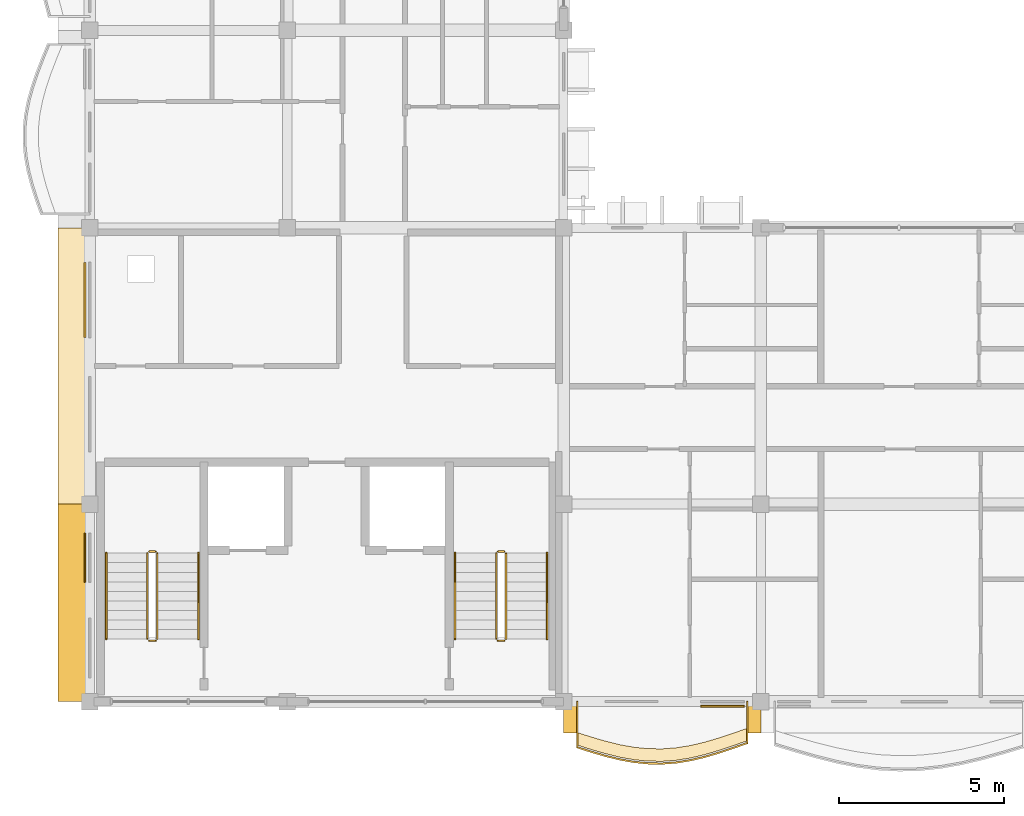
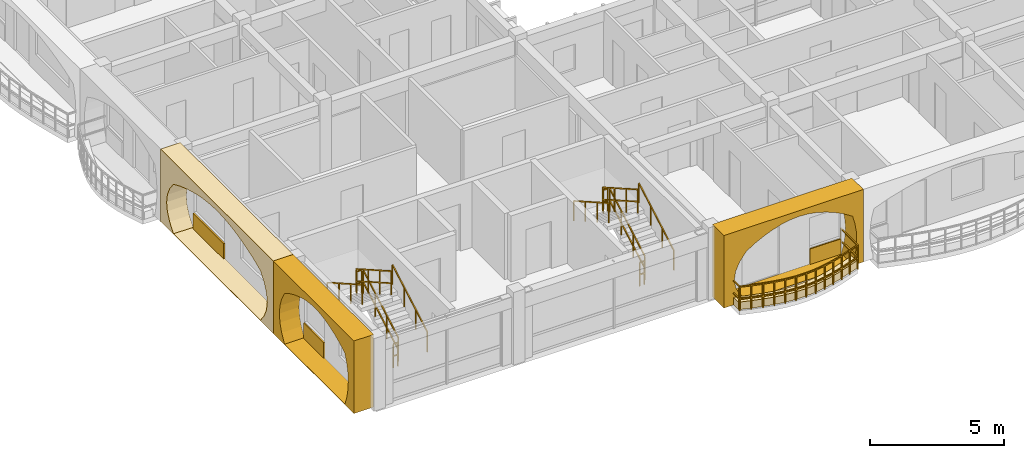
# One storey, part 38 of 54: 13 railings, 7 coverings.
"""IFC4 building model written with IfcOpenShell, lengths in metres."""

from ifc_helpers import new_model, si_unit, direction, frame, origin, origin_2d, place, context, subcontext, project, spatial, polyline, rectangle, outline, extrude, material, layer, layer_set, type_object, element, save


model = new_model("IFC4")

# Units and contexts
model_context = context("Model", 3, precision=1e-05, world=origin(), true_north=direction((0.0, 1.0)))
body_context = subcontext(model_context, "Body", "Model", "MODEL_VIEW")
ifc_project = project(units=[si_unit("LENGTHUNIT", "METRE"), si_unit("AREAUNIT", "SQUARE_METRE"), si_unit("VOLUMEUNIT", "CUBIC_METRE"), si_unit("PLANEANGLEUNIT", "RADIAN"), si_unit("MASSUNIT", "GRAM", prefix="KILO"), si_unit("THERMODYNAMICTEMPERATUREUNIT", "KELVIN")], contexts=[model_context])

# Site, building, storey
site_placement = place(None, origin())
site = spatial("IfcSite", under=ifc_project, at=site_placement, CompositionType="ELEMENT")
building_placement = place(site_placement, origin())
building = spatial("IfcBuilding", under=site, at=building_placement, Name="Thalorik Housing Commons", CompositionType="ELEMENT")
storey_placement = place(building_placement, frame((0.0, 0.0, 31.199951171875)))
storey = spatial("IfcBuildingStorey", under=building, at=storey_placement, Name="L09", CompositionType="ELEMENT", Elevation=31.199951171875)

# Coverings
ifc_material_1 = material(Name="Precast concrete C40/50", Category="concrete")
ifc_layer_1 = layer(ifc_material_1, 0.85009765625, Name="Precast concrete C40/50", Category="concrete")
ifc_layer_set_1 = layer_set([ifc_layer_1], Name="Precast concrete C40/50")
covering_type_1 = type_object("IfcCoveringType", Name="ARC-CLD-CUSH-850", PredefinedType="CLADDING", material=ifc_layer_set_1)
covering_1_placement = place(storey_placement, frame((7.862548828125, 18.60009765625, 0.0), z_axis=(0.0, 0.0, 1.0), x_axis=(0.0, -1.0, 0.0)))
element("IfcCovering", 1, at=covering_1_placement, inside=storey, type_object=covering_type_1, Name="L09 White Precast Curved Cushion Bay Frame 4384", PredefinedType="CLADDING", context=body_context, shape_type="SweptSolid", body=[
    extrude(outline(polyline([(-4.199951171875, 0.0), (4.199951171875, 0.0), (4.199951171875, 3.300048828125), (-4.199951171875, 3.300048828125), (-4.199951171875, 0.0)]), holes=[polyline([(3.239990234375, 0.02490234375), (3.523193359375, 0.40087890625), (3.693359375, 0.776611328125), (3.75, 1.152587890625), (3.693359375, 1.5283203125), (3.523193359375, 1.904296875), (3.239990234375, 2.280029296875), (2.699951171875, 2.51123046875), (2.159912109375, 2.693115234375), (1.6201171875, 2.840087890625), (1.080078125, 2.94970703125), (0.5400390625, 3.01708984375), (0.0, 3.0400390625), (-0.5400390625, 3.01708984375), (-1.080078125, 2.94970703125), (-1.6201171875, 2.840087890625), (-2.159912109375, 2.693115234375), (-2.699951171875, 2.51123046875), (-3.239990234375, 2.280029296875), (-3.523193359375, 1.904296875), (-3.693359375, 1.5283203125), (-3.75, 1.152587890625), (-3.693359375, 0.776611328125), (-3.523193359375, 0.40087890625), (-3.239990234375, 0.02490234375), (3.239990234375, 0.02490234375)])]), frame((0.0, 0.425048828125, 0.0), z_axis=(0.0, -1.0, 0.0), x_axis=(1.0, 0.0, 0.0)), (0.0, 0.0, 1.0), 0.85009765625),
])
covering_2_placement = place(storey_placement, frame((7.862548828125, 11.39990234375, 0.0), z_axis=(0.0, 0.0, 1.0), x_axis=(0.0, -1.0, 0.0)))
element("IfcCovering", 2, at=covering_2_placement, inside=storey, type_object=covering_type_1, Name="L09 White Precast Curved Cushion Bay Frame 4386", PredefinedType="CLADDING", context=body_context, shape_type="SweptSolid", body=[
    extrude(outline(polyline([(-3.0, 0.0), (3.0, 0.0), (3.0, 3.300048828125), (-3.0, 3.300048828125), (-3.0, 0.0)]), holes=[polyline([(2.330078125, 0.02490234375), (2.471435546875, 0.410888671875), (2.556396484375, 0.796630859375), (2.584716796875, 1.1826171875), (2.556396484375, 1.568359375), (2.471435546875, 1.9541015625), (2.330078125, 2.340087890625), (1.955810546875, 2.552978515625), (1.581787109375, 2.720458984375), (1.20751953125, 2.85595703125), (0.833251953125, 2.956787109375), (0.459228515625, 3.01904296875), (0.0849609375, 3.0400390625), (-0.289306640625, 3.01904296875), (-0.663330078125, 2.956787109375), (-1.03759765625, 2.85595703125), (-1.41162109375, 2.720458984375), (-1.785888671875, 2.552978515625), (-2.159912109375, 2.340087890625), (-2.376708984375, 1.9541015625), (-2.506591796875, 1.568359375), (-2.550048828125, 1.1826171875), (-2.506591796875, 0.796630859375), (-2.376708984375, 0.410888671875), (-2.159912109375, 0.02490234375), (2.330078125, 0.02490234375)])]), frame((0.0, 0.425048828125, 0.0), z_axis=(0.0, -1.0, 0.0), x_axis=(1.0, 0.0, 0.0)), (0.0, 0.0, 1.0), 0.85009765625),
])
covering_3_placement = place(storey_placement, frame((25.800048828125, 7.862548828125, 0.0), z_axis=(0.0, 0.0, 1.0), x_axis=(1.0, 0.0, 0.0)))
element("IfcCovering", 3, at=covering_3_placement, inside=storey, type_object=covering_type_1, Name="L09 White Precast Curved Cushion Bay Frame 4388", PredefinedType="CLADDING", context=body_context, shape_type="SweptSolid", body=[
    extrude(outline(polyline([(-3.0, 0.0), (3.0, 0.0), (3.0, 3.300048828125), (-3.0, 3.300048828125), (-3.0, 0.0)]), holes=[polyline([(2.534912109375, 0.02490234375), (2.63330078125, 0.394287109375), (2.692138671875, 0.76318359375), (2.711669921875, 1.132568359375), (2.692138671875, 1.501708984375), (2.63330078125, 1.870849609375), (2.534912109375, 2.239990234375), (2.15380859375, 2.4833984375), (1.7724609375, 2.6748046875), (1.391357421875, 2.82958984375), (1.010009765625, 2.94482421875), (0.628662109375, 3.01611328125), (0.24755859375, 3.0400390625), (-0.1337890625, 3.01611328125), (-0.514892578125, 2.94482421875), (-0.896240234375, 2.82958984375), (-1.277587890625, 2.6748046875), (-1.65869140625, 2.4833984375), (-2.0400390625, 2.239990234375), (-2.3232421875, 1.870849609375), (-2.493408203125, 1.501708984375), (-2.550048828125, 1.132568359375), (-2.493408203125, 0.76318359375), (-2.3232421875, 0.394287109375), (-2.0400390625, 0.02490234375), (2.534912109375, 0.02490234375)])]), frame((0.0, 0.425048828125, 0.0), z_axis=(0.0, -1.0, 0.0), x_axis=(1.0, 0.0, 0.0)), (0.0, 0.0, 1.0), 0.85009765625),
])
ifc_material_2 = material(Name="Terracotta red mineral fibre-cement panel", Category="masonry")
ifc_layer_2 = layer(ifc_material_2, 0.054931640625, Name="Terracotta red mineral fibre-cement panel", Category="masonry")
ifc_layer_set_2 = layer_set([ifc_layer_2], Name="Terracotta red mineral fibre-cement panel")
covering_type_2 = type_object("IfcCoveringType", Name="ARC-CLD-RED-55", PredefinedType="CLADDING", material=ifc_layer_set_2)
covering_4_placement = place(storey_placement, frame((8.2548828125, 12.77001953125, 0.05029296875), z_axis=(0.0, 0.0, 1.0), x_axis=(0.0, -1.0, 0.0)))
element("IfcCovering", 4, at=covering_4_placement, inside=storey, type_object=covering_type_2, Name="L09 De Stijl Recessed Window Spandrel 4387", PredefinedType="CLADDING", context=body_context, shape_type="SweptSolid", body=[
    extrude(rectangle(XDim=1.47998046875, YDim=0.054931640625, at=origin_2d()), origin(), (0.0, 0.0, 1.0), 0.699951171875),
])
covering_5_placement = place(storey_placement, frame((27.625, 8.2548828125, 0.05029296875), z_axis=(0.0, 0.0, 1.0), x_axis=(1.0, 0.0, 0.0)))
element("IfcCovering", 5, at=covering_5_placement, inside=storey, type_object=covering_type_2, Name="L09 De Stijl Recessed Window Spandrel 4389", PredefinedType="CLADDING", context=body_context, shape_type="SweptSolid", body=[
    extrude(rectangle(XDim=1.320068359375, YDim=0.054931640625, at=origin_2d()), origin(), (0.0, 0.0, 1.0), 0.699951171875),
])
ifc_material_3 = material(Name="Mineral ochre architectural terracotta panel", Category="masonry")
ifc_layer_3 = layer(ifc_material_3, 0.06494140625, Name="Mineral ochre architectural terracotta panel", Category="masonry")
ifc_layer_set_3 = layer_set([ifc_layer_3], Name="Mineral ochre architectural terracotta panel")
covering_type_3 = type_object("IfcCoveringType", Name="ARC-CLD-YEL-65", PredefinedType="CLADDING", material=ifc_layer_set_3)
covering_6_placement = place(storey_placement, frame((8.25, 20.60498046875, 0.05029296875), z_axis=(0.0, 0.0, 1.0), x_axis=(0.0, -1.0, 0.0)))
element("IfcCovering", 6, at=covering_6_placement, inside=storey, type_object=covering_type_3, Name="L09 De Stijl Recessed Window Spandrel 4385", PredefinedType="CLADDING", context=body_context, shape_type="SweptSolid", body=[
    extrude(rectangle(XDim=2.280029296875, YDim=0.06494140625, at=origin_2d()), origin(), (0.0, 0.0, 1.0), 0.699951171875),
])
ifc_material_4 = material(Name="Planted vegetated substrate and terracotta trough", Category="masonry")
ifc_layer_4 = layer(ifc_material_4, 0.340087890625, Name="Planted vegetated substrate and terracotta trough", Category="masonry")
ifc_layer_set_4 = layer_set([ifc_layer_4], Name="Planted vegetated substrate and terracotta trough")
covering_type_4 = type_object("IfcCoveringType", Name="ARC-COV-PLANTER", PredefinedType="USERDEFINED", material=ifc_layer_set_4)
covering_7_placement = place(storey_placement, origin())
element("IfcCovering", 7, at=covering_7_placement, inside=storey, type_object=covering_type_4, Name="L09 Balcony Slab-Edge Planted Trough 5636", ObjectType="PLANTER", PredefinedType="USERDEFINED", context=body_context, shape_type="SweptSolid", body=[
    extrude(outline(polyline([(23.219970703125, 7.076416015625), (23.64990234375, 6.93994140625), (24.080078125, 6.814697265625), (24.510009765625, 6.70947265625), (24.93994140625, 6.63232421875), (25.3701171875, 6.589111328125), (25.800048828125, 6.58349609375), (26.22998046875, 6.6162109375), (26.659912109375, 6.685302734375), (27.090087890625, 6.786865234375), (27.52001953125, 6.91357421875), (27.949951171875, 7.056884765625), (28.3798828125, 7.20703125), (28.3798828125, 7.5869140625), (27.949951171875, 7.436767578125), (27.52001953125, 7.29345703125), (27.090087890625, 7.166748046875), (26.659912109375, 7.0654296875), (26.22998046875, 6.99609375), (25.800048828125, 6.96337890625), (25.3701171875, 6.968994140625), (24.93994140625, 7.01220703125), (24.510009765625, 7.08935546875), (24.080078125, 7.194580078125), (23.64990234375, 7.320068359375), (23.219970703125, 7.456298828125), (23.219970703125, 7.076416015625)])), origin(), (0.0, 0.0, 1.0), 0.340087890625),
])

# Railings
ifc_material_5 = material(Name="Steel S355", Category="steel")
railing_type_1 = type_object("IfcRailingType", Name="ARC-RL-BAL-112", PredefinedType="BALUSTRADE", material=ifc_material_5)
railing_1_placement = place(storey_placement, frame((23.219970703125, 8.39990234375, 0.0)))
element("IfcRailing", 8, at=railing_1_placement, inside=storey, type_object=railing_type_1, Name="L09 Cushion Balcony Guardrail 320", PredefinedType="BALUSTRADE", context=body_context, shape_type="SweptSolid", body=[
    extrude(rectangle(XDim=0.050048828125, YDim=0.050048828125, at=origin_2d()), frame((0.0, 0.0, 1.09521484375), z_axis=(0.0, -1.0, 0.0), x_axis=(1.0, 0.0, 0.0)), (0.0, 0.0, 1.0), 1.3935546875),
    extrude(rectangle(XDim=0.050048828125, YDim=0.050048828125, at=origin_2d()), frame((0.0, 0.0, 0.53515625), z_axis=(0.0, -1.0, 0.0), x_axis=(1.0, 0.0, 0.0)), (0.0, 0.0, 1.0), 1.3935546875),
    extrude(rectangle(XDim=0.050048828125, YDim=0.050048828125, at=origin_2d()), frame((0.0, -1.3935546875, 1.09521484375), z_axis=(0.953287680153, -0.302063898652, 0.0), x_axis=(0.302063898652, 0.953287680153, 0.0)), (0.0, 0.0, 1.0), 0.450927734375),
    extrude(rectangle(XDim=0.050048828125, YDim=0.050048828125, at=origin_2d()), frame((0.0, -1.3935546875, 0.53515625), z_axis=(0.953287680153, -0.302063898652, 0.0), x_axis=(0.302063898652, 0.953287680153, 0.0)), (0.0, 0.0, 1.0), 0.450927734375),
    extrude(rectangle(XDim=0.050048828125, YDim=0.050048828125, at=origin_2d()), frame((0.429931640625, -1.52978515625, 1.09521484375), z_axis=(0.95998779493, -0.280041842562, 0.0), x_axis=(0.280041842562, 0.95998779493, 0.0)), (0.0, 0.0, 1.0), 0.447998046875),
    extrude(rectangle(XDim=0.050048828125, YDim=0.050048828125, at=origin_2d()), frame((0.429931640625, -1.52978515625, 0.53515625), z_axis=(0.95998779493, -0.280041842562, 0.0), x_axis=(0.280041842562, 0.95998779493, 0.0)), (0.0, 0.0, 1.0), 0.447998046875),
    extrude(rectangle(XDim=0.050048828125, YDim=0.050048828125, at=origin_2d()), frame((0.860107421875, -1.6552734375, 1.09521484375), z_axis=(0.971331111788, -0.237730669609, 0.0), x_axis=(0.237730669609, 0.971331111788, 0.0)), (0.0, 0.0, 1.0), 0.442626953125),
    extrude(rectangle(XDim=0.050048828125, YDim=0.050048828125, at=origin_2d()), frame((0.860107421875, -1.6552734375, 0.53515625), z_axis=(0.971331111788, -0.237730669609, 0.0), x_axis=(0.237730669609, 0.971331111788, 0.0)), (0.0, 0.0, 1.0), 0.442626953125),
    extrude(rectangle(XDim=0.050048828125, YDim=0.050048828125, at=origin_2d()), frame((1.2900390625, -1.760498046875, 1.09521484375), z_axis=(0.984278682269, -0.176622409765, 0.0), x_axis=(0.176622409765, 0.984278682269, 0.0)), (0.0, 0.0, 1.0), 0.436767578125),
    extrude(rectangle(XDim=0.050048828125, YDim=0.050048828125, at=origin_2d()), frame((1.2900390625, -1.760498046875, 0.53515625), z_axis=(0.984278682269, -0.176622409765, 0.0), x_axis=(0.176622409765, 0.984278682269, 0.0)), (0.0, 0.0, 1.0), 0.436767578125),
    extrude(rectangle(XDim=0.050048828125, YDim=0.050048828125, at=origin_2d()), frame((1.719970703125, -1.837646484375, 1.09521484375), z_axis=(0.994992361373, -0.099950992034, 0.0), x_axis=(0.099950992034, 0.994992361373, 0.0)), (0.0, 0.0, 1.0), 0.432373046875),
    extrude(rectangle(XDim=0.050048828125, YDim=0.050048828125, at=origin_2d()), frame((1.719970703125, -1.837646484375, 0.53515625), z_axis=(0.994992361373, -0.099950992034, 0.0), x_axis=(0.099950992034, 0.994992361373, 0.0)), (0.0, 0.0, 1.0), 0.432373046875),
    extrude(rectangle(XDim=0.050048828125, YDim=0.050048828125, at=origin_2d()), frame((2.150146484375, -1.880859375, 1.09521484375), z_axis=(0.999914719172, -0.013059647099, 0.0), x_axis=(0.013059647099, 0.999914719172, 0.0)), (0.0, 0.0, 1.0), 0.429931640625),
    extrude(rectangle(XDim=0.050048828125, YDim=0.050048828125, at=origin_2d()), frame((2.150146484375, -1.880859375, 0.53515625), z_axis=(0.999914719172, -0.013059647099, 0.0), x_axis=(0.013059647099, 0.999914719172, 0.0)), (0.0, 0.0, 1.0), 0.429931640625),
    extrude(rectangle(XDim=0.050048828125, YDim=0.050048828125, at=origin_2d()), frame((2.580078125, -1.886474609375, 1.09521484375), z_axis=(0.997117429761, 0.075873785115, 0.0), x_axis=(-0.075873785115, 0.997117429761, 0.0)), (0.0, 0.0, 1.0), 0.43115234375),
    extrude(rectangle(XDim=0.050048828125, YDim=0.050048828125, at=origin_2d()), frame((2.580078125, -1.886474609375, 0.53515625), z_axis=(0.997117429761, 0.075873785115, 0.0), x_axis=(-0.075873785115, 0.997117429761, 0.0)), (0.0, 0.0, 1.0), 0.43115234375),
    extrude(rectangle(XDim=0.050048828125, YDim=0.050048828125, at=origin_2d()), frame((3.010009765625, -1.853759765625, 1.09521484375), z_axis=(0.987243963433, 0.159214812956, 0.0), x_axis=(-0.159214812956, 0.987243963433, 0.0)), (0.0, 0.0, 1.0), 0.435546875),
    extrude(rectangle(XDim=0.050048828125, YDim=0.050048828125, at=origin_2d()), frame((3.010009765625, -1.853759765625, 0.53515625), z_axis=(0.987243963433, 0.159214812956, 0.0), x_axis=(-0.159214812956, 0.987243963433, 0.0)), (0.0, 0.0, 1.0), 0.435546875),
    extrude(rectangle(XDim=0.050048828125, YDim=0.050048828125, at=origin_2d()), frame((3.43994140625, -1.784423828125, 1.09521484375), z_axis=(0.97336643038, 0.229254863001, 0.0), x_axis=(-0.229254863001, 0.97336643038, 0.0)), (0.0, 0.0, 1.0), 0.44189453125),
    extrude(rectangle(XDim=0.050048828125, YDim=0.050048828125, at=origin_2d()), frame((3.43994140625, -1.784423828125, 0.53515625), z_axis=(0.97336643038, 0.229254863001, 0.0), x_axis=(-0.229254863001, 0.97336643038, 0.0)), (0.0, 0.0, 1.0), 0.44189453125),
    extrude(rectangle(XDim=0.050048828125, YDim=0.050048828125, at=origin_2d()), frame((3.8701171875, -1.68310546875, 1.09521484375), z_axis=(0.959209231732, 0.28269709896, 0.0), x_axis=(-0.28269709896, 0.959209231732, 0.0)), (0.0, 0.0, 1.0), 0.4482421875),
    extrude(rectangle(XDim=0.050048828125, YDim=0.050048828125, at=origin_2d()), frame((3.8701171875, -1.68310546875, 0.53515625), z_axis=(0.959209231732, 0.28269709896, 0.0), x_axis=(-0.28269709896, 0.959209231732, 0.0)), (0.0, 0.0, 1.0), 0.4482421875),
    extrude(rectangle(XDim=0.050048828125, YDim=0.050048828125, at=origin_2d()), frame((4.300048828125, -1.556396484375, 1.09521484375), z_axis=(0.948683298051, 0.316227766017, 0.0), x_axis=(-0.316227766017, 0.948683298051, 0.0)), (0.0, 0.0, 1.0), 0.453125),
    extrude(rectangle(XDim=0.050048828125, YDim=0.050048828125, at=origin_2d()), frame((4.300048828125, -1.556396484375, 0.53515625), z_axis=(0.948683298051, 0.316227766017, 0.0), x_axis=(-0.316227766017, 0.948683298051, 0.0)), (0.0, 0.0, 1.0), 0.453125),
    extrude(rectangle(XDim=0.050048828125, YDim=0.050048828125, at=origin_2d()), frame((4.72998046875, -1.4130859375, 1.09521484375), z_axis=(0.944083802416, 0.329705586874, 0.0), x_axis=(-0.329705586874, 0.944083802416, 0.0)), (0.0, 0.0, 1.0), 0.455322265625),
    extrude(rectangle(XDim=0.050048828125, YDim=0.050048828125, at=origin_2d()), frame((4.72998046875, -1.4130859375, 0.53515625), z_axis=(0.944083802416, 0.329705586874, 0.0), x_axis=(-0.329705586874, 0.944083802416, 0.0)), (0.0, 0.0, 1.0), 0.455322265625),
    extrude(rectangle(XDim=0.050048828125, YDim=0.050048828125, at=origin_2d()), frame((5.159912109375, -1.262939453125, 1.09521484375), z_axis=(0.0, 1.0, 0.0), x_axis=(-1.0, 0.0, 0.0)), (0.0, 0.0, 1.0), 1.262939453125),
    extrude(rectangle(XDim=0.050048828125, YDim=0.050048828125, at=origin_2d()), frame((5.159912109375, -1.262939453125, 0.53515625), z_axis=(0.0, 1.0, 0.0), x_axis=(-1.0, 0.0, 0.0)), (0.0, 0.0, 1.0), 1.262939453125),
    extrude(rectangle(XDim=0.0419921875, YDim=0.0419921875, at=origin_2d()), origin(), (0.0, 0.0, 1.0), 1.070068359375),
    extrude(rectangle(XDim=0.0419921875, YDim=0.0419921875, at=origin_2d()), frame((0.0, -1.3935546875, 0.0)), (0.0, 0.0, 1.0), 1.070068359375),
    extrude(rectangle(XDim=0.0419921875, YDim=0.0419921875, at=origin_2d()), frame((0.429931640625, -1.52978515625, 0.0)), (0.0, 0.0, 1.0), 1.070068359375),
    extrude(rectangle(XDim=0.0419921875, YDim=0.0419921875, at=origin_2d()), frame((0.860107421875, -1.6552734375, 0.0)), (0.0, 0.0, 1.0), 1.070068359375),
    extrude(rectangle(XDim=0.0419921875, YDim=0.0419921875, at=origin_2d()), frame((1.2900390625, -1.760498046875, 0.0)), (0.0, 0.0, 1.0), 1.070068359375),
    extrude(rectangle(XDim=0.0419921875, YDim=0.0419921875, at=origin_2d()), frame((1.719970703125, -1.837646484375, 0.0)), (0.0, 0.0, 1.0), 1.070068359375),
    extrude(rectangle(XDim=0.0419921875, YDim=0.0419921875, at=origin_2d()), frame((2.150146484375, -1.880859375, 0.0)), (0.0, 0.0, 1.0), 1.070068359375),
    extrude(rectangle(XDim=0.0419921875, YDim=0.0419921875, at=origin_2d()), frame((2.580078125, -1.886474609375, 0.0)), (0.0, 0.0, 1.0), 1.070068359375),
    extrude(rectangle(XDim=0.0419921875, YDim=0.0419921875, at=origin_2d()), frame((3.010009765625, -1.853759765625, 0.0)), (0.0, 0.0, 1.0), 1.070068359375),
    extrude(rectangle(XDim=0.0419921875, YDim=0.0419921875, at=origin_2d()), frame((3.43994140625, -1.784423828125, 0.0)), (0.0, 0.0, 1.0), 1.070068359375),
    extrude(rectangle(XDim=0.0419921875, YDim=0.0419921875, at=origin_2d()), frame((3.8701171875, -1.68310546875, 0.0)), (0.0, 0.0, 1.0), 1.070068359375),
    extrude(rectangle(XDim=0.0419921875, YDim=0.0419921875, at=origin_2d()), frame((4.300048828125, -1.556396484375, 0.0)), (0.0, 0.0, 1.0), 1.070068359375),
    extrude(rectangle(XDim=0.0419921875, YDim=0.0419921875, at=origin_2d()), frame((4.72998046875, -1.4130859375, 0.0)), (0.0, 0.0, 1.0), 1.070068359375),
    extrude(rectangle(XDim=0.0419921875, YDim=0.0419921875, at=origin_2d()), frame((5.159912109375, -1.262939453125, 0.0)), (0.0, 0.0, 1.0), 1.070068359375),
    extrude(rectangle(XDim=0.0419921875, YDim=0.0419921875, at=origin_2d()), frame((5.159912109375, 0.0, 0.0)), (0.0, 0.0, 1.0), 1.070068359375),
])
railing_type_2 = type_object("IfcRailingType", Name="ARC-RL-STR-GRD110", PredefinedType="GUARDRAIL", material=ifc_material_5)
railing_2_placement = place(storey_placement, frame((10.449951171875, 10.300048828125, 0.1650390625)))
element("IfcRailing", 9, at=railing_2_placement, inside=storey, type_object=railing_type_2, Name="L09 ST-C1 stair guard 1", PredefinedType="GUARDRAIL", context=body_context, shape_type="SweptSolid", body=[
    extrude(rectangle(XDim=0.048095703125, YDim=0.048095703125, at=origin_2d()), frame((0.0, 0.0, 1.076171875), z_axis=(0.0, 0.869137319866, 0.494570843475), x_axis=(-1.0, 0.0, 0.0)), (0.0, 0.0, 1.0), 3.0029296875),
    extrude(rectangle(XDim=0.048095703125, YDim=0.048095703125, at=origin_2d()), frame((0.0, 0.0, 0.52587890625), z_axis=(0.0, 0.869137319866, 0.494570843475), x_axis=(-1.0, 0.0, 0.0)), (0.0, 0.0, 1.0), 3.0029296875),
    extrude(rectangle(XDim=0.0419921875, YDim=0.0419921875, at=origin_2d()), origin(), (0.0, 0.0, 1.0), 1.052001953125),
    extrude(rectangle(XDim=0.0419921875, YDim=0.0419921875, at=origin_2d()), frame((0.0, 0.869873046875, 0.4951171875)), (0.0, 0.0, 1.0), 1.052001953125),
    extrude(rectangle(XDim=0.0419921875, YDim=0.0419921875, at=origin_2d()), frame((0.0, 1.739990234375, 0.989990234375)), (0.0, 0.0, 1.0), 1.052001953125),
    extrude(rectangle(XDim=0.0419921875, YDim=0.0419921875, at=origin_2d()), frame((0.0, 2.60986328125, 1.485107421875)), (0.0, 0.0, 1.0), 1.052001953125),
])
railing_3_placement = place(storey_placement, frame((10.39990234375, 12.9599609375, 1.650146484375)))
element("IfcRailing", 10, at=railing_3_placement, inside=storey, type_object=railing_type_2, Name="L09 ST-C1 stair guard 2", PredefinedType="GUARDRAIL", context=body_context, shape_type="SweptSolid", body=[
    extrude(rectangle(XDim=0.048095703125, YDim=0.048095703125, at=origin_2d()), frame((0.0, 0.0, 1.076171875), z_axis=(-1.0, 0.0, 0.0), x_axis=(0.0, -1.0, 0.0)), (0.0, 0.0, 1.0), 0.199951171875),
    extrude(rectangle(XDim=0.048095703125, YDim=0.048095703125, at=origin_2d()), frame((0.0, 0.0, 0.52587890625), z_axis=(-1.0, 0.0, 0.0), x_axis=(0.0, -1.0, 0.0)), (0.0, 0.0, 1.0), 0.199951171875),
    extrude(rectangle(XDim=0.0419921875, YDim=0.0419921875, at=origin_2d()), origin(), (0.0, 0.0, 1.0), 1.052001953125),
    extrude(rectangle(XDim=0.0419921875, YDim=0.0419921875, at=origin_2d()), frame((-0.199951171875, 0.0, 0.0)), (0.0, 0.0, 1.0), 1.052001953125),
])
railing_4_placement = place(storey_placement, frame((10.14990234375, 12.909912109375, 1.81494140625)))
element("IfcRailing", 11, at=railing_4_placement, inside=storey, type_object=railing_type_2, Name="L09 ST-C1 stair guard 3", PredefinedType="GUARDRAIL", context=body_context, shape_type="SweptSolid", body=[
    extrude(rectangle(XDim=0.048095703125, YDim=0.048095703125, at=origin_2d()), frame((0.0, 0.0, 1.076171875), z_axis=(0.0, -0.869137319866, 0.494570843475), x_axis=(1.0, 0.0, 0.0)), (0.0, 0.0, 1.0), 3.0029296875),
    extrude(rectangle(XDim=0.048095703125, YDim=0.048095703125, at=origin_2d()), frame((0.0, 0.0, 0.52587890625), z_axis=(0.0, -0.869137319866, 0.494570843475), x_axis=(1.0, 0.0, 0.0)), (0.0, 0.0, 1.0), 3.0029296875),
    extrude(rectangle(XDim=0.0419921875, YDim=0.0419921875, at=origin_2d()), origin(), (0.0, 0.0, 1.0), 1.052001953125),
    extrude(rectangle(XDim=0.0419921875, YDim=0.0419921875, at=origin_2d()), frame((0.0, -0.869873046875, 0.4951171875)), (0.0, 0.0, 1.0), 1.052001953125),
    extrude(rectangle(XDim=0.0419921875, YDim=0.0419921875, at=origin_2d()), frame((0.0, -1.739990234375, 0.989990234375)), (0.0, 0.0, 1.0), 1.052001953125),
    extrude(rectangle(XDim=0.0419921875, YDim=0.0419921875, at=origin_2d()), frame((0.0, -2.60986328125, 1.485107421875)), (0.0, 0.0, 1.0), 1.052001953125),
])
railing_5_placement = place(storey_placement, frame((10.39990234375, 10.25, 0.0)))
element("IfcRailing", 12, at=railing_5_placement, inside=storey, type_object=railing_type_2, Name="L09 ST-C1 stair guard 4", PredefinedType="GUARDRAIL", context=body_context, shape_type="SweptSolid", body=[
    extrude(rectangle(XDim=0.048095703125, YDim=0.048095703125, at=origin_2d()), frame((0.0, 0.0, 1.076171875), z_axis=(-1.0, 0.0, 0.0), x_axis=(0.0, -1.0, 0.0)), (0.0, 0.0, 1.0), 0.199951171875),
    extrude(rectangle(XDim=0.048095703125, YDim=0.048095703125, at=origin_2d()), frame((0.0, 0.0, 0.52587890625), z_axis=(-1.0, 0.0, 0.0), x_axis=(0.0, -1.0, 0.0)), (0.0, 0.0, 1.0), 0.199951171875),
    extrude(rectangle(XDim=0.0419921875, YDim=0.0419921875, at=origin_2d()), origin(), (0.0, 0.0, 1.0), 1.052001953125),
    extrude(rectangle(XDim=0.0419921875, YDim=0.0419921875, at=origin_2d()), frame((-0.199951171875, 0.0, 0.0)), (0.0, 0.0, 1.0), 1.052001953125),
])
railing_6_placement = place(storey_placement, frame((21.050048828125, 10.300048828125, 0.1650390625)))
element("IfcRailing", 13, at=railing_6_placement, inside=storey, type_object=railing_type_2, Name="L09 ST-C2 stair guard 1", PredefinedType="GUARDRAIL", context=body_context, shape_type="SweptSolid", body=[
    extrude(rectangle(XDim=0.048095703125, YDim=0.048095703125, at=origin_2d()), frame((0.0, 0.0, 1.076171875), z_axis=(0.0, 0.869137319866, 0.494570843475), x_axis=(-1.0, 0.0, 0.0)), (0.0, 0.0, 1.0), 3.0029296875),
    extrude(rectangle(XDim=0.048095703125, YDim=0.048095703125, at=origin_2d()), frame((0.0, 0.0, 0.52587890625), z_axis=(0.0, 0.869137319866, 0.494570843475), x_axis=(-1.0, 0.0, 0.0)), (0.0, 0.0, 1.0), 3.0029296875),
    extrude(rectangle(XDim=0.0419921875, YDim=0.0419921875, at=origin_2d()), origin(), (0.0, 0.0, 1.0), 1.052001953125),
    extrude(rectangle(XDim=0.0419921875, YDim=0.0419921875, at=origin_2d()), frame((0.0, 0.869873046875, 0.4951171875)), (0.0, 0.0, 1.0), 1.052001953125),
    extrude(rectangle(XDim=0.0419921875, YDim=0.0419921875, at=origin_2d()), frame((0.0, 1.739990234375, 0.989990234375)), (0.0, 0.0, 1.0), 1.052001953125),
    extrude(rectangle(XDim=0.0419921875, YDim=0.0419921875, at=origin_2d()), frame((0.0, 2.60986328125, 1.485107421875)), (0.0, 0.0, 1.0), 1.052001953125),
])
railing_7_placement = place(storey_placement, frame((21.0, 12.9599609375, 1.650146484375)))
element("IfcRailing", 14, at=railing_7_placement, inside=storey, type_object=railing_type_2, Name="L09 ST-C2 stair guard 2", PredefinedType="GUARDRAIL", context=body_context, shape_type="SweptSolid", body=[
    extrude(rectangle(XDim=0.048095703125, YDim=0.048095703125, at=origin_2d()), frame((0.0, 0.0, 1.076171875), z_axis=(-1.0, 0.0, 0.0), x_axis=(0.0, -1.0, 0.0)), (0.0, 0.0, 1.0), 0.199951171875),
    extrude(rectangle(XDim=0.048095703125, YDim=0.048095703125, at=origin_2d()), frame((0.0, 0.0, 0.52587890625), z_axis=(-1.0, 0.0, 0.0), x_axis=(0.0, -1.0, 0.0)), (0.0, 0.0, 1.0), 0.199951171875),
    extrude(rectangle(XDim=0.0419921875, YDim=0.0419921875, at=origin_2d()), origin(), (0.0, 0.0, 1.0), 1.052001953125),
    extrude(rectangle(XDim=0.0419921875, YDim=0.0419921875, at=origin_2d()), frame((-0.199951171875, 0.0, 0.0)), (0.0, 0.0, 1.0), 1.052001953125),
])
railing_8_placement = place(storey_placement, frame((20.75, 12.909912109375, 1.81494140625)))
element("IfcRailing", 15, at=railing_8_placement, inside=storey, type_object=railing_type_2, Name="L09 ST-C2 stair guard 3", PredefinedType="GUARDRAIL", context=body_context, shape_type="SweptSolid", body=[
    extrude(rectangle(XDim=0.048095703125, YDim=0.048095703125, at=origin_2d()), frame((0.0, 0.0, 1.076171875), z_axis=(0.0, -0.869137319866, 0.494570843475), x_axis=(1.0, 0.0, 0.0)), (0.0, 0.0, 1.0), 3.0029296875),
    extrude(rectangle(XDim=0.048095703125, YDim=0.048095703125, at=origin_2d()), frame((0.0, 0.0, 0.52587890625), z_axis=(0.0, -0.869137319866, 0.494570843475), x_axis=(1.0, 0.0, 0.0)), (0.0, 0.0, 1.0), 3.0029296875),
    extrude(rectangle(XDim=0.0419921875, YDim=0.0419921875, at=origin_2d()), origin(), (0.0, 0.0, 1.0), 1.052001953125),
    extrude(rectangle(XDim=0.0419921875, YDim=0.0419921875, at=origin_2d()), frame((0.0, -0.869873046875, 0.4951171875)), (0.0, 0.0, 1.0), 1.052001953125),
    extrude(rectangle(XDim=0.0419921875, YDim=0.0419921875, at=origin_2d()), frame((0.0, -1.739990234375, 0.989990234375)), (0.0, 0.0, 1.0), 1.052001953125),
    extrude(rectangle(XDim=0.0419921875, YDim=0.0419921875, at=origin_2d()), frame((0.0, -2.60986328125, 1.485107421875)), (0.0, 0.0, 1.0), 1.052001953125),
])
railing_9_placement = place(storey_placement, frame((21.0, 10.25, 0.0)))
element("IfcRailing", 16, at=railing_9_placement, inside=storey, type_object=railing_type_2, Name="L09 ST-C2 stair guard 4", PredefinedType="GUARDRAIL", context=body_context, shape_type="SweptSolid", body=[
    extrude(rectangle(XDim=0.048095703125, YDim=0.048095703125, at=origin_2d()), frame((0.0, 0.0, 1.076171875), z_axis=(-1.0, 0.0, 0.0), x_axis=(0.0, -1.0, 0.0)), (0.0, 0.0, 1.0), 0.199951171875),
    extrude(rectangle(XDim=0.048095703125, YDim=0.048095703125, at=origin_2d()), frame((0.0, 0.0, 0.52587890625), z_axis=(-1.0, 0.0, 0.0), x_axis=(0.0, -1.0, 0.0)), (0.0, 0.0, 1.0), 0.199951171875),
    extrude(rectangle(XDim=0.0419921875, YDim=0.0419921875, at=origin_2d()), origin(), (0.0, 0.0, 1.0), 1.052001953125),
    extrude(rectangle(XDim=0.0419921875, YDim=0.0419921875, at=origin_2d()), frame((-0.199951171875, 0.0, 0.0)), (0.0, 0.0, 1.0), 1.052001953125),
])
railing_type_3 = type_object("IfcRailingType", Name="ARC-RL-STR-HR092", PredefinedType="HANDRAIL", material=ifc_material_5)
railing_10_placement = place(storey_placement, frame((11.699951171875, 10.300048828125, 0.1650390625)))
element("IfcRailing", 17, at=railing_10_placement, inside=storey, type_object=railing_type_3, Name="L09 ST-C1 stair handrail 1", PredefinedType="HANDRAIL", context=body_context, shape_type="SweptSolid", body=[
    extrude(rectangle(XDim=0.048095703125, YDim=0.048095703125, at=origin_2d()), frame((0.0, 0.0, 0.89599609375), z_axis=(0.0, 0.869137319866, 0.494570843475), x_axis=(-1.0, 0.0, 0.0)), (0.0, 0.0, 1.0), 3.0029296875),
    extrude(rectangle(XDim=0.0419921875, YDim=0.0419921875, at=origin_2d()), origin(), (0.0, 0.0, 1.0), 0.871826171875),
    extrude(rectangle(XDim=0.0419921875, YDim=0.0419921875, at=origin_2d()), frame((0.0, 0.869873046875, 0.4951171875)), (0.0, 0.0, 1.0), 0.871826171875),
    extrude(rectangle(XDim=0.0419921875, YDim=0.0419921875, at=origin_2d()), frame((0.0, 1.739990234375, 0.989990234375)), (0.0, 0.0, 1.0), 0.871826171875),
    extrude(rectangle(XDim=0.0419921875, YDim=0.0419921875, at=origin_2d()), frame((0.0, 2.60986328125, 1.485107421875)), (0.0, 0.0, 1.0), 0.871826171875),
])
railing_11_placement = place(storey_placement, frame((8.89990234375, 12.909912109375, 1.81494140625)))
element("IfcRailing", 18, at=railing_11_placement, inside=storey, type_object=railing_type_3, Name="L09 ST-C1 stair handrail 2", PredefinedType="HANDRAIL", context=body_context, shape_type="SweptSolid", body=[
    extrude(rectangle(XDim=0.048095703125, YDim=0.048095703125, at=origin_2d()), frame((0.0, 0.0, 0.89599609375), z_axis=(0.0, -0.869137319866, 0.494570843475), x_axis=(1.0, 0.0, 0.0)), (0.0, 0.0, 1.0), 3.0029296875),
    extrude(rectangle(XDim=0.0419921875, YDim=0.0419921875, at=origin_2d()), origin(), (0.0, 0.0, 1.0), 0.871826171875),
    extrude(rectangle(XDim=0.0419921875, YDim=0.0419921875, at=origin_2d()), frame((0.0, -0.869873046875, 0.4951171875)), (0.0, 0.0, 1.0), 0.871826171875),
    extrude(rectangle(XDim=0.0419921875, YDim=0.0419921875, at=origin_2d()), frame((0.0, -1.739990234375, 0.989990234375)), (0.0, 0.0, 1.0), 0.871826171875),
    extrude(rectangle(XDim=0.0419921875, YDim=0.0419921875, at=origin_2d()), frame((0.0, -2.60986328125, 1.485107421875)), (0.0, 0.0, 1.0), 0.871826171875),
])
railing_12_placement = place(storey_placement, frame((22.300048828125, 10.300048828125, 0.1650390625)))
element("IfcRailing", 19, at=railing_12_placement, inside=storey, type_object=railing_type_3, Name="L09 ST-C2 stair handrail 1", PredefinedType="HANDRAIL", context=body_context, shape_type="SweptSolid", body=[
    extrude(rectangle(XDim=0.048095703125, YDim=0.048095703125, at=origin_2d()), frame((0.0, 0.0, 0.89599609375), z_axis=(0.0, 0.869137319866, 0.494570843475), x_axis=(-1.0, 0.0, 0.0)), (0.0, 0.0, 1.0), 3.0029296875),
    extrude(rectangle(XDim=0.0419921875, YDim=0.0419921875, at=origin_2d()), origin(), (0.0, 0.0, 1.0), 0.871826171875),
    extrude(rectangle(XDim=0.0419921875, YDim=0.0419921875, at=origin_2d()), frame((0.0, 0.869873046875, 0.4951171875)), (0.0, 0.0, 1.0), 0.871826171875),
    extrude(rectangle(XDim=0.0419921875, YDim=0.0419921875, at=origin_2d()), frame((0.0, 1.739990234375, 0.989990234375)), (0.0, 0.0, 1.0), 0.871826171875),
    extrude(rectangle(XDim=0.0419921875, YDim=0.0419921875, at=origin_2d()), frame((0.0, 2.60986328125, 1.485107421875)), (0.0, 0.0, 1.0), 0.871826171875),
])
railing_13_placement = place(storey_placement, frame((19.5, 12.909912109375, 1.81494140625)))
element("IfcRailing", 20, at=railing_13_placement, inside=storey, type_object=railing_type_3, Name="L09 ST-C2 stair handrail 2", PredefinedType="HANDRAIL", context=body_context, shape_type="SweptSolid", body=[
    extrude(rectangle(XDim=0.048095703125, YDim=0.048095703125, at=origin_2d()), frame((0.0, 0.0, 0.89599609375), z_axis=(0.0, -0.869137319866, 0.494570843475), x_axis=(1.0, 0.0, 0.0)), (0.0, 0.0, 1.0), 3.0029296875),
    extrude(rectangle(XDim=0.0419921875, YDim=0.0419921875, at=origin_2d()), origin(), (0.0, 0.0, 1.0), 0.871826171875),
    extrude(rectangle(XDim=0.0419921875, YDim=0.0419921875, at=origin_2d()), frame((0.0, -0.869873046875, 0.4951171875)), (0.0, 0.0, 1.0), 0.871826171875),
    extrude(rectangle(XDim=0.0419921875, YDim=0.0419921875, at=origin_2d()), frame((0.0, -1.739990234375, 0.989990234375)), (0.0, 0.0, 1.0), 0.871826171875),
    extrude(rectangle(XDim=0.0419921875, YDim=0.0419921875, at=origin_2d()), frame((0.0, -2.60986328125, 1.485107421875)), (0.0, 0.0, 1.0), 0.871826171875),
])

save(model, "model.ifc")
